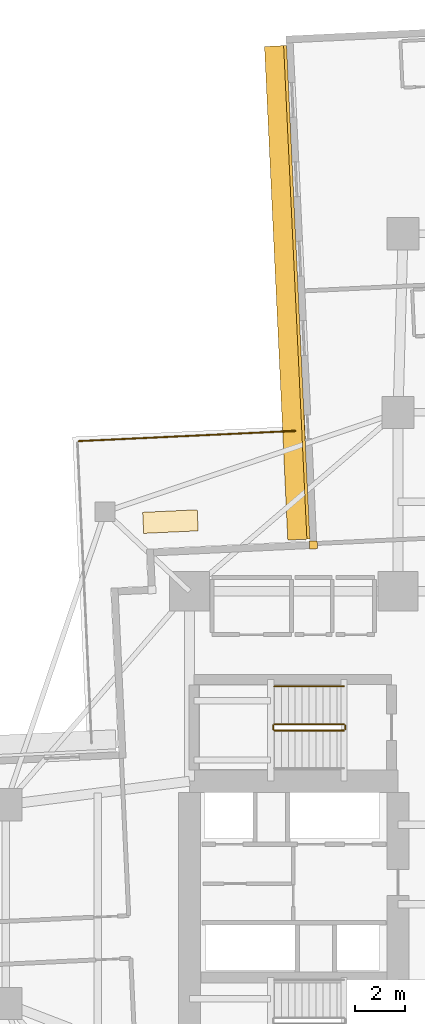
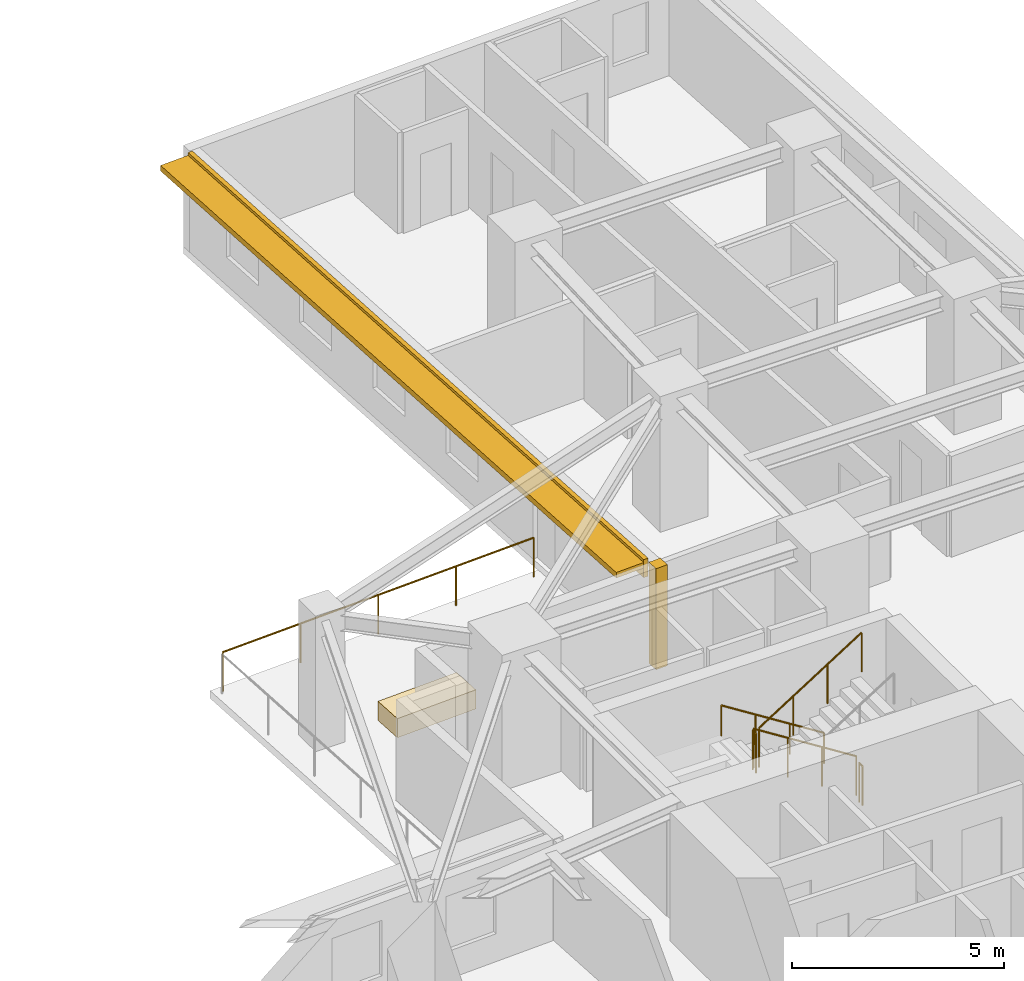
# One storey, part 13 of 14: 6 railings, 3 coverings, 1 shading device.
"""IFC4 building model written with IfcOpenShell, lengths in metres."""

from ifc_helpers import new_model, si_unit, direction, frame, origin, origin_2d, place, context, subcontext, project, spatial, rectangle, circle, extrude, material, layer, layer_set, type_object, element, save


model = new_model("IFC4")

# Units and contexts
model_context = context("Model", 3, precision=1e-05, world=origin(), true_north=direction((0.0, 1.0)))
body_context = subcontext(model_context, "Body", "Model", "MODEL_VIEW")
ifc_project = project(units=[si_unit("LENGTHUNIT", "METRE"), si_unit("AREAUNIT", "SQUARE_METRE"), si_unit("VOLUMEUNIT", "CUBIC_METRE"), si_unit("PLANEANGLEUNIT", "RADIAN"), si_unit("MASSUNIT", "GRAM", prefix="KILO")], contexts=[model_context])

# Site, building, storey
site_placement = place(None, origin())
site = spatial("IfcSite", under=ifc_project, at=site_placement, CompositionType="ELEMENT")
building_placement = place(site_placement, origin())
building = spatial("IfcBuilding", under=site, at=building_placement, Name="Qingluan Cross Belvedere", CompositionType="ELEMENT")
storey_placement = place(building_placement, frame((0.0, 0.0, 35.39990234375)))
storey = spatial("IfcBuildingStorey", under=building, at=storey_placement, Name="L09", CompositionType="ELEMENT", Elevation=35.39990234375)

# Coverings
ifc_material_1 = material(Name="Precast concrete C45", Category="concrete")
ifc_layer_1 = layer(ifc_material_1, 0.1201171875, Name="ConcreteSpandrelCladding_120")
ifc_layer_set_1 = layer_set([ifc_layer_1], Name="Precast concrete C45")
covering_type_1 = type_object("IfcCoveringType", Name="ConcreteSpandrelCladding_120", PredefinedType="CLADDING", material=ifc_layer_set_1)
covering_1_placement = place(storey_placement, frame((-8.07958984375, 24.63671875, 2.4501953125), z_axis=(0.0, 0.0, 1.0), x_axis=(0.047104684445, -0.998889958255, 0.0)))
element("IfcCovering", 1, at=covering_1_placement, inside=storey, type_object=covering_type_1, Name="Spandrel cladding L09-NB", PredefinedType="CLADDING", context=body_context, shape_type="SweptSolid", body=[
    extrude(rectangle(XDim=19.89990234375, YDim=0.1201171875, at=origin_2d()), origin(), (0.0, 0.0, 1.0), 0.52001953125),
])
covering_2_placement = place(storey_placement, frame((-7.40966796875, 14.467041015625, 0.0), z_axis=(0.0, 0.0, 1.0), x_axis=(0.998889874962, 0.04710645071, 0.0)))
element("IfcCovering", 2, at=covering_2_placement, inside=storey, type_object=covering_type_1, Name="Corner closure L09-NW2", PredefinedType="CLADDING", context=body_context, shape_type="SweptSolid", body=[
    extrude(rectangle(XDim=0.320068359375, YDim=0.320068359375, at=origin_2d()), origin(), (0.0, 0.0, 1.0), 2.909912109375),
])

# Shading device
ifc_material_2 = material(Name="Precast concrete C45", Category="concrete")
ifc_layer_2 = layer(ifc_material_2, 0.159912109375, Name="ConcreteSunshadeBand_900")
ifc_layer_set_2 = layer_set([ifc_layer_2], Name="Precast concrete C45")
shading_device_type = type_object("IfcShadingDeviceType", Name="ConcreteSunshadeBand_900", PredefinedType="USERDEFINED", material=ifc_layer_set_2)
shading_device_placement = place(storey_placement, frame((-8.458984375, 24.618896484375, 2.72998046875), z_axis=(0.0, 0.0, 1.0), x_axis=(0.047104684445, -0.998889958255, 0.0)))
element("IfcShadingDevice", 3, at=shading_device_placement, inside=storey, type_object=shading_device_type, Name="Concrete SUNSHADE L09-NB", ObjectType="SUNSHADE", PredefinedType="USERDEFINED", context=body_context, shape_type="SweptSolid", body=[
    extrude(rectangle(XDim=19.89990234375, YDim=0.89990234375, at=origin_2d()), origin(), (0.0, 0.0, 1.0), 0.159912109375),
])

# Railings
ifc_material_3 = material(Name="Brushed stainless steel tubular handrail", Category="steel")
railing_type_1 = type_object("IfcRailingType", Name="StairPitchHandrail_900", PredefinedType="HANDRAIL", material=ifc_material_3)
railing_1_placement = place(storey_placement, frame((-6.179931640625, 8.77001953125, 0.177490234375)))
element("IfcRailing", 4, at=railing_1_placement, inside=storey, type_object=railing_type_1, Name="L09 ST3 stair handrail 1", PredefinedType="HANDRAIL", context=body_context, shape_type="SweptSolid", body=[
    extrude(circle(Radius=0.02392578125, at=origin_2d()), frame((0.0, 0.0, 0.8759765625), z_axis=(-0.844908973607, 0.0, 0.534910110503), x_axis=(0.0, -1.0, 0.0)), (0.0, 0.0, 1.0), 3.31396484375),
    extrude(circle(Radius=0.02099609375, at=origin_2d()), origin(), (0.0, 0.0, 1.0), 0.851806640625),
    extrude(circle(Radius=0.02099609375, at=origin_2d()), frame((-0.933349609375, 0.0, 0.5908203125)), (0.0, 0.0, 1.0), 0.851806640625),
    extrude(circle(Radius=0.02099609375, at=origin_2d()), frame((-1.86669921875, 0.0, 1.181884765625)), (0.0, 0.0, 1.0), 0.851806640625),
    extrude(circle(Radius=0.02099609375, at=origin_2d()), frame((-2.800048828125, 0.0, 1.772705078125)), (0.0, 0.0, 1.0), 0.851806640625),
])
ifc_material_4 = material(Name="Painted steel stair well guard", Category="steel")
railing_type_2 = type_object("IfcRailingType", Name="StairWellGuard_1150", PredefinedType="BALUSTRADE", material=ifc_material_4)
railing_2_placement = place(storey_placement, frame((-6.179931640625, 7.25, 0.177490234375)))
element("IfcRailing", 5, at=railing_2_placement, inside=storey, type_object=railing_type_2, Name="L09 ST3 stair guard 1", PredefinedType="BALUSTRADE", context=body_context, shape_type="SweptSolid", body=[
    extrude(circle(Radius=0.02392578125, at=origin_2d()), frame((0.0, 0.0, 1.1259765625), z_axis=(-0.844908973607, 0.0, 0.534910110503), x_axis=(0.0, -1.0, 0.0)), (0.0, 0.0, 1.0), 3.31396484375),
    extrude(circle(Radius=0.02099609375, at=origin_2d()), origin(), (0.0, 0.0, 1.0), 1.101806640625),
    extrude(circle(Radius=0.02099609375, at=origin_2d()), frame((-0.933349609375, 0.0, 0.5908203125)), (0.0, 0.0, 1.0), 1.101806640625),
    extrude(circle(Radius=0.02099609375, at=origin_2d()), frame((-1.86669921875, 0.0, 1.181884765625)), (0.0, 0.0, 1.0), 1.101806640625),
    extrude(circle(Radius=0.02099609375, at=origin_2d()), frame((-2.800048828125, 0.0, 1.772705078125)), (0.0, 0.0, 1.0), 1.101806640625),
])
railing_3_placement = place(storey_placement, frame((-9.030029296875, 7.199951171875, 1.9501953125)))
element("IfcRailing", 6, at=railing_3_placement, inside=storey, type_object=railing_type_2, Name="L09 ST3 stair guard 2", PredefinedType="BALUSTRADE", context=body_context, shape_type="SweptSolid", body=[
    extrude(circle(Radius=0.02392578125, at=origin_2d()), frame((0.0, 0.0, 1.1259765625), z_axis=(0.0, -1.0, 0.0), x_axis=(1.0, 0.0, 0.0)), (0.0, 0.0, 1.0), 0.159912109375),
    extrude(circle(Radius=0.02099609375, at=origin_2d()), origin(), (0.0, 0.0, 1.0), 1.101806640625),
    extrude(circle(Radius=0.02099609375, at=origin_2d()), frame((0.0, -0.159912109375, 0.0)), (0.0, 0.0, 1.0), 1.101806640625),
])
railing_4_placement = place(storey_placement, frame((-8.97998046875, 6.989990234375, 2.12744140625)))
element("IfcRailing", 7, at=railing_4_placement, inside=storey, type_object=railing_type_2, Name="L09 ST3 stair guard 3", PredefinedType="BALUSTRADE", context=body_context, shape_type="SweptSolid", body=[
    extrude(circle(Radius=0.02392578125, at=origin_2d()), frame((0.0, 0.0, 1.1259765625), z_axis=(0.844908973607, 0.0, 0.534910110503), x_axis=(0.0, 1.0, 0.0)), (0.0, 0.0, 1.0), 3.31396484375),
    extrude(circle(Radius=0.02099609375, at=origin_2d()), origin(), (0.0, 0.0, 1.0), 1.101806640625),
    extrude(circle(Radius=0.02099609375, at=origin_2d()), frame((0.933349609375, 0.0, 0.5908203125)), (0.0, 0.0, 1.0), 1.101806640625),
    extrude(circle(Radius=0.02099609375, at=origin_2d()), frame((1.86669921875, 0.0, 1.181884765625)), (0.0, 0.0, 1.0), 1.101806640625),
    extrude(circle(Radius=0.02099609375, at=origin_2d()), frame((2.800048828125, 0.0, 1.772705078125)), (0.0, 0.0, 1.0), 1.101806640625),
])
railing_5_placement = place(storey_placement, frame((-6.1298828125, 7.199951171875, 0.0)))
element("IfcRailing", 8, at=railing_5_placement, inside=storey, type_object=railing_type_2, Name="L09 ST3 stair guard 4", PredefinedType="BALUSTRADE", context=body_context, shape_type="SweptSolid", body=[
    extrude(circle(Radius=0.02392578125, at=origin_2d()), frame((0.0, 0.0, 1.1259765625), z_axis=(0.0, -1.0, 0.0), x_axis=(1.0, 0.0, 0.0)), (0.0, 0.0, 1.0), 0.159912109375),
    extrude(circle(Radius=0.02099609375, at=origin_2d()), origin(), (0.0, 0.0, 1.0), 1.101806640625),
    extrude(circle(Radius=0.02099609375, at=origin_2d()), frame((0.0, -0.159912109375, 0.0)), (0.0, 0.0, 1.0), 1.101806640625),
])
ifc_material_5 = material(Name="Laminated glass and stainless steel balustrade", Category="steel")
railing_type_3 = type_object("IfcRailingType", Name="TerraceGuardBalustrade_1150", PredefinedType="BALUSTRADE", material=ifc_material_5)
railing_6_placement = place(storey_placement, frame((-16.857177734375, 18.646484375, 0.0)))
element("IfcRailing", 9, at=railing_6_placement, inside=storey, type_object=railing_type_3, Name="Terrace guard L09-2", PredefinedType="BALUSTRADE", context=body_context, shape_type="SweptSolid", body=[
    extrude(circle(Radius=0.02392578125, at=origin_2d()), frame((0.0, 0.0, 1.1259765625), z_axis=(0.998889258033, 0.047119530839, 0.0), x_axis=(-0.047119530839, 0.998889258033, 0.0)), (0.0, 0.0, 1.0), 8.72021484375),
    extrude(circle(Radius=0.02099609375, at=origin_2d()), origin(), (0.0, 0.0, 1.0), 1.101806640625),
    extrude(circle(Radius=0.02099609375, at=origin_2d()), frame((2.177734375, 0.102783203125, 0.0)), (0.0, 0.0, 1.0), 1.101806640625),
    extrude(circle(Radius=0.02099609375, at=origin_2d()), frame((4.355224609375, 0.20556640625, 0.0)), (0.0, 0.0, 1.0), 1.101806640625),
    extrude(circle(Radius=0.02099609375, at=origin_2d()), frame((6.53271484375, 0.30810546875, 0.0)), (0.0, 0.0, 1.0), 1.101806640625),
    extrude(circle(Radius=0.02099609375, at=origin_2d()), frame((8.71044921875, 0.410888671875, 0.0)), (0.0, 0.0, 1.0), 1.101806640625),
])

# Covering
ifc_material_6 = material(Name="Precast concrete C40", Category="concrete")
ifc_layer_3 = layer(ifc_material_6, 0.550048828125, Name="TerracePlanterBox")
ifc_layer_set_3 = layer_set([ifc_layer_3], Name="Precast concrete C40")
covering_type_2 = type_object("IfcCoveringType", Name="TerracePlanterBox", PredefinedType="USERDEFINED", material=ifc_layer_set_3)
covering_3_placement = place(storey_placement, frame((-13.166015625, 15.406005859375, 0.0), z_axis=(0.0, 0.0, 1.0), x_axis=(0.998889874962, 0.04710645071, 0.0)))
element("IfcCovering", 10, at=covering_3_placement, inside=storey, type_object=covering_type_2, Name="Spiralling winter-garden planter L09", ObjectType="PLANTER", PredefinedType="USERDEFINED", context=body_context, shape_type="SweptSolid", body=[
    extrude(rectangle(XDim=2.199951171875, YDim=0.85009765625, at=origin_2d()), origin(), (0.0, 0.0, 1.0), 0.550048828125),
])

save(model, "model.ifc")
